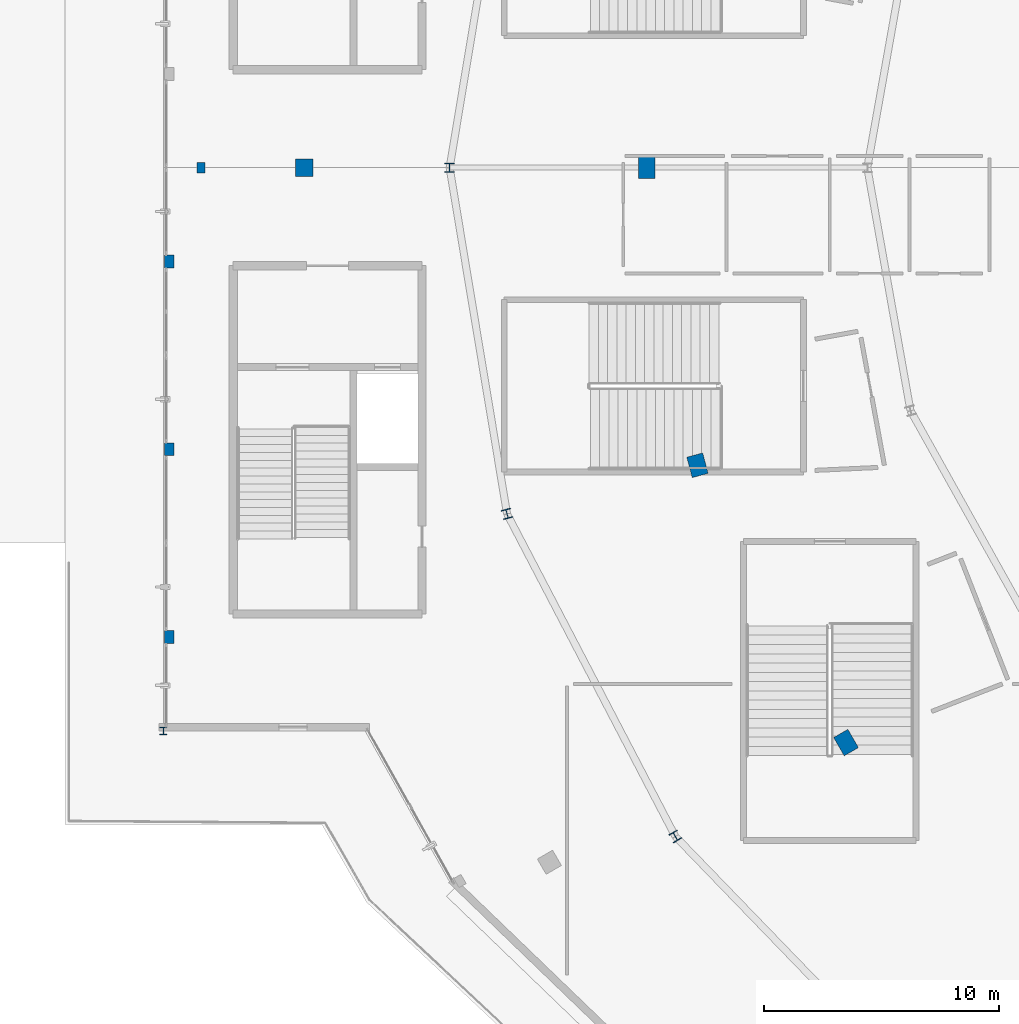
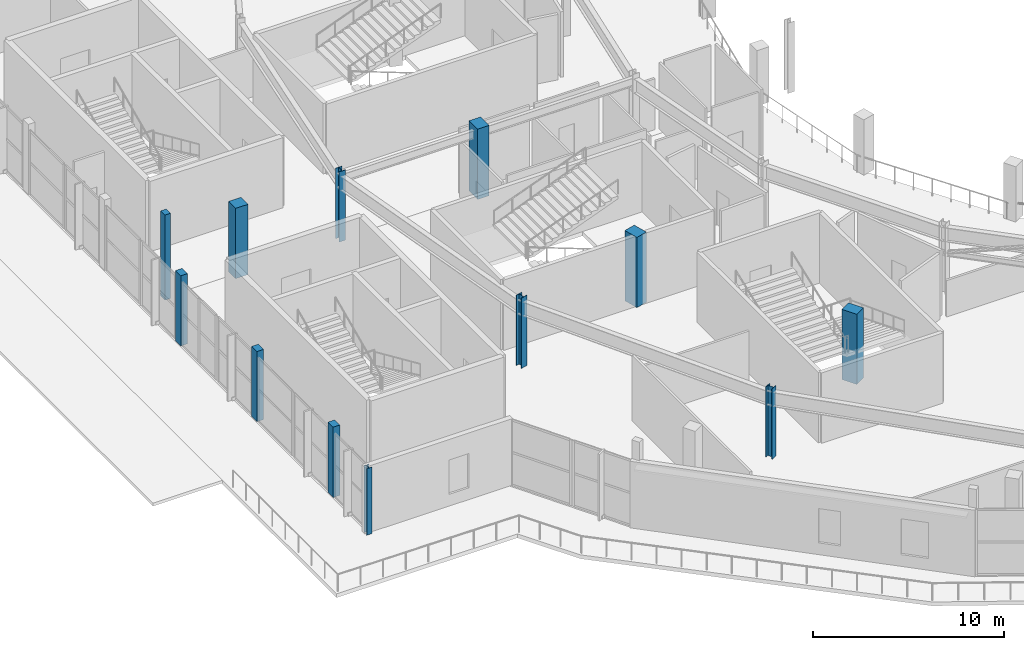
# One storey, part 2 of 123: 12 columns.
"""IFC4 building model written with IfcOpenShell, lengths in metres."""

import ifcopenshell
import ifcopenshell.guid

model = None  # the IFC model being written
_history = None  # IfcOwnerHistory: only IFC2X3 demands one
_inside = {}  # id of a spatial element -> (the spatial element, [elements in it])
_under = {}  # id of a project, library or spatial element -> (it, [spatial elements below it])
_declared = {}  # id of a project -> (the project, [libraries it declares])
_typed = {}  # id of a type object -> (the type object, [elements of that type])
_made_of = {}  # id of a material, layer set ... -> (it, [elements and type objects made of it])


def new_model(schema):
    """Start an empty IFC model of exactly this schema.

    Asked for "IFC4X3", IfcOpenShell would pick the latest addendum, in which some entities
    have other attributes; the version numbers below select the first issue.
    IFC2X3 requires an IfcOwnerHistory on every rooted entity: one is made here for all.
    """
    global model, _history
    if schema == "IFC4X3":
        model = ifcopenshell.file(schema_version=(4, 3, 0, 0))
    else:
        model = ifcopenshell.file(schema=schema)
    _inside.clear()
    _under.clear()
    _declared.clear()
    _typed.clear()
    _made_of.clear()
    _history = None
    if model.schema == "IFC2X3":
        org = make("IfcOrganization", Name="unknown")
        user = make(
            "IfcPersonAndOrganization",
            ThePerson=make("IfcPerson", FamilyName="unknown"),
            TheOrganization=org,
        )
        app = make(
            "IfcApplication",
            ApplicationDeveloper=org,
            Version="unknown",
            ApplicationFullName="unknown",
            ApplicationIdentifier="unknown",
        )
        _history = make(
            "IfcOwnerHistory",
            OwningUser=user,
            OwningApplication=app,
            ChangeAction="ADDED",
            CreationDate=0,
        )
    return model


def make(cls, **values):
    """One entity of the class cls with the attributes given. An attribute that is None is left unset."""
    return model.create_entity(
        cls, **{name: value for name, value in values.items() if value is not None}
    )


def rooted(cls, **values):
    """An entity with a GlobalId (a new one), such as an element, a storey or a relation."""
    return make(cls, GlobalId=ifcopenshell.guid.new(), OwnerHistory=_history, **values)


def si_unit(unit_type, name, prefix=None):
    """IfcSIUnit, for example si_unit("LENGTHUNIT", "METRE", prefix="MILLI")."""
    return make("IfcSIUnit", UnitType=unit_type, Prefix=prefix, Name=name)


def assignment(units):
    """IfcUnitAssignment: the units of a project."""
    return None if units is None else make("IfcUnitAssignment", Units=units)


def point(xyz):
    """IfcCartesianPoint."""
    return None if xyz is None else make("IfcCartesianPoint", Coordinates=xyz)


def direction(xyz):
    """IfcDirection."""
    return None if xyz is None else make("IfcDirection", DirectionRatios=xyz)


def frame(location, z_axis=None, x_axis=None):
    """IfcAxis2Placement3D, a coordinate frame: its origin and axes. An axis left out is left unset."""
    return make(
        "IfcAxis2Placement3D",
        Location=point(location),
        Axis=direction(z_axis),
        RefDirection=direction(x_axis),
    )


def frame_2d(location, x_axis=None):
    """IfcAxis2Placement2D, a coordinate frame in the plane: its origin and x axis."""
    return make(
        "IfcAxis2Placement2D", Location=point(location), RefDirection=direction(x_axis)
    )


def origin():
    """The frame at (0, 0, 0) with its axes left unset."""
    return frame((0.0, 0.0, 0.0))


def origin_2d():
    """The frame at (0, 0) in the plane with its x axis left unset."""
    return frame_2d((0.0, 0.0))


def place(relative_to, where):
    """IfcLocalPlacement: puts the frame where relative to a parent placement (None: the world)."""
    return make(
        "IfcLocalPlacement", PlacementRelTo=relative_to, RelativePlacement=where
    )


def context(
    kind, dimensions, precision=None, world=None, true_north=None, identifier=None
):
    """IfcGeometricRepresentationContext, for example the 3D "Model" context."""
    return make(
        "IfcGeometricRepresentationContext",
        ContextIdentifier=identifier,
        ContextType=kind,
        CoordinateSpaceDimension=dimensions,
        Precision=precision,
        WorldCoordinateSystem=world,
        TrueNorth=true_north,
    )


def subcontext(parent, identifier, kind, view, scale=None):
    """IfcGeometricRepresentationSubContext, for example "Body" below "Model"."""
    return make(
        "IfcGeometricRepresentationSubContext",
        ContextIdentifier=identifier,
        ContextType=kind,
        ParentContext=parent,
        TargetScale=scale,
        TargetView=view,
    )


def project(units=None, contexts=None):
    """IfcProject with its units and contexts."""
    return rooted(
        "IfcProject",
        Name="project",
        RepresentationContexts=contexts,
        UnitsInContext=assignment(units),
    )


def spatial(cls, under=None, at=None, **own):
    """A site, building, storey or space (cls), placed at a placement, below another one or the project."""
    s = rooted(cls, ObjectPlacement=at, **own)
    if under is not None:
        _under.setdefault(under.id(), (under, []))[1].append(s)
    return s


def profile(cls, at=None, kind="AREA", **sizes):
    """A parametric profile (cls). Its sizes go by their IFC names, for example OverallWidth=200.0."""
    return make(cls, ProfileType=kind, Position=at, **sizes)


def rectangle(**sizes):
    """IfcRectangleProfileDef."""
    return profile("IfcRectangleProfileDef", **sizes)


def i_section(**sizes):
    """IfcIShapeProfileDef."""
    return profile("IfcIShapeProfileDef", **sizes)


def extrude(swept, where, along, depth):
    """IfcExtrudedAreaSolid: the profile swept, set in the frame where, extruded along a direction by depth."""
    return make(
        "IfcExtrudedAreaSolid",
        SweptArea=swept,
        Position=where,
        ExtrudedDirection=direction(along),
        Depth=depth,
    )


def shape(context_of_items, identifier, shape_type, items):
    """IfcShapeRepresentation: the items that make up one representation, for example the "Body"."""
    return make(
        "IfcShapeRepresentation",
        ContextOfItems=context_of_items,
        RepresentationIdentifier=identifier,
        RepresentationType=shape_type,
        Items=items,
    )


def material(Name=None, Category=None):
    """IfcMaterial."""
    return make("IfcMaterial", Name=Name, Category=Category)


def material_profile(
    of_material, cross_section, Name=None, Category=None, Priority=None
):
    """IfcMaterialProfile: a cross section and its material."""
    return make(
        "IfcMaterialProfile",
        Name=Name,
        Material=of_material,
        Profile=cross_section,
        Priority=Priority,
        Category=Category,
    )


def profile_set(profiles, Name=None, composite=None):
    """IfcMaterialProfileSet."""
    return make(
        "IfcMaterialProfileSet",
        Name=Name,
        MaterialProfiles=profiles,
        CompositeProfile=composite,
    )


def made_of(thing, what):
    """Note that an element or type object is made of a material, layer set ...; save() writes the relation."""
    if what is not None:
        _made_of.setdefault(what.id(), (what, []))[1].append(thing)
    return thing


def type_object(cls, material=None, **own):
    """A type object (cls), such as IfcWallType, which elements share."""
    return made_of(rooted(cls, **own), material)


def element(
    cls,
    number,
    at=None,
    inside=None,
    cuts=None,
    type_object=None,
    material=None,
    context=None,
    identifier="Body",
    shape_type=None,
    held_by="IfcProductDefinitionShape",
    body=None,
    shapes=None,
    **own,
):
    """One element of the class cls, such as IfcWall. Its Tag is "e" and its number.

    at: its placement. inside: the storey or other place that contains it. cuts: it is an
    opening in that element (IfcRelVoidsElement). A single representation is given by context,
    identifier, shape_type and body (its items); several are given by shapes. held_by: the class
    of the entity that holds the representations. save() writes the other relations.
    """
    e = rooted(cls, Tag="e%d" % number, ObjectPlacement=at, **own)
    if body is not None:
        shapes = [shape(context, identifier, shape_type, body)]
    if shapes is not None:
        e.Representation = make(held_by, Representations=shapes)
    if inside is not None:
        _inside.setdefault(inside.id(), (inside, []))[1].append(e)
    if cuts is not None:
        rooted(
            "IfcRelVoidsElement", RelatingBuildingElement=cuts, RelatedOpeningElement=e
        )
    if type_object is not None:
        _typed.setdefault(type_object.id(), (type_object, []))[1].append(e)
    return made_of(e, material)


def aggregate(whole, parts):
    """IfcRelAggregates: a whole, such as a stair, and the parts it consists of."""
    return rooted("IfcRelAggregates", RelatingObject=whole, RelatedObjects=parts)


def save(model, path):
    """Write the relations noted so far, then the file.

    IfcRelAggregates (storeys below a building ...), IfcRelContainedInSpatialStructure (elements
    in a storey), IfcRelDefinesByType, IfcRelAssociatesMaterial and IfcRelDeclares: one each for
    every whole, place, type object, material and project.
    """
    for whole, parts in _under.values():
        aggregate(whole, parts)
    for where, things in _inside.values():
        rooted(
            "IfcRelContainedInSpatialStructure",
            RelatedElements=things,
            RelatingStructure=where,
        )
    for kind, things in _typed.values():
        rooted("IfcRelDefinesByType", RelatedObjects=things, RelatingType=kind)
    for what, things in _made_of.values():
        rooted("IfcRelAssociatesMaterial", RelatedObjects=things, RelatingMaterial=what)
    for by, libraries in _declared.values():
        rooted("IfcRelDeclares", RelatingContext=by, RelatedDefinitions=libraries)
    model.write(path)


model = new_model("IFC4")

# Units and contexts
model_context = context("Model", 3, precision=1e-05, world=origin(), true_north=direction((0.0, 1.0)))
body_context = subcontext(model_context, "Body", "Model", "MODEL_VIEW")
ifc_project = project(units=[si_unit("LENGTHUNIT", "METRE"), si_unit("AREAUNIT", "SQUARE_METRE"), si_unit("VOLUMEUNIT", "CUBIC_METRE"), si_unit("PLANEANGLEUNIT", "RADIAN"), si_unit("MASSUNIT", "GRAM", prefix="KILO")], contexts=[model_context])

# Site, building, storey
site_placement = place(None, origin())
site = spatial("IfcSite", under=ifc_project, at=site_placement, CompositionType="ELEMENT")
building_placement = place(site_placement, origin())
building = spatial("IfcBuilding", under=site, at=building_placement, Name="Kalgoora Escarpment Arena", CompositionType="ELEMENT")
storey_placement = place(building_placement, frame((0.0, 0.0, 9.89990234375)))
storey = spatial("IfcBuildingStorey", under=building, at=storey_placement, Name="L02", CompositionType="ELEMENT", Elevation=9.89990234375)

# Columns
ifc_material_1 = material(Name="Structural steel AS/NZS 3679 (300 MPa)", Category="steel")
ifc_material_profile_1 = material_profile(ifc_material_1, i_section(OverallWidth=0.30908203125, OverallDepth=0.321044921875, WebThickness=0.013916015625, FlangeThickness=0.021728515625, at=origin_2d()))
ifc_profile_set_1 = profile_set([ifc_material_profile_1], Name="Structural steel AS/NZS 3679 (300 MPa)")
column_type_1 = type_object("IfcColumnType", Name="COL-COL-310UC137", PredefinedType="COLUMN", material=ifc_profile_set_1)
column_1_placement = place(storey_placement, frame((8.39990234375, 40.0, 0.0), z_axis=(0.0, 0.0, 1.0), x_axis=(1.0, 0.0, 0.0)))
element("IfcColumn", 1, at=column_1_placement, inside=storey, type_object=column_type_1, Name="L02 structural column COL-G2-F", PredefinedType="COLUMN", context=body_context, shape_type="SweptSolid", body=[
    extrude(i_section(OverallWidth=0.30908203125, OverallDepth=0.321044921875, WebThickness=0.013916015625, FlangeThickness=0.021728515625, at=origin_2d()), origin(), (0.0, 0.0, 1.0), 4.26513671875),
])
ifc_material_2 = material(Name="Structural steel Grade 350 (350 MPa)", Category="steel")
ifc_material_profile_2 = material_profile(ifc_material_2, i_section(OverallWidth=0.39990234375, OverallDepth=0.39990234375, WebThickness=0.01611328125, FlangeThickness=0.028076171875, at=origin_2d()))
ifc_profile_set_2 = profile_set([ifc_material_profile_2], Name="Structural steel Grade 350 (350 MPa)")
column_type_2 = type_object("IfcColumnType", Name="COL-COL-400WC212", PredefinedType="COLUMN", material=ifc_profile_set_2)
for number, where, z_axis, x_axis, name in (
    (2, (20.60009765625, 64.0, 0.0), (0.0, 0.0, 1.0), (-1.0, 0.0, 0.0), "L02 structural column COL-RCONC2-R13"),
    (3, (23.04638671875, 49.247314453125, 0.0), (0.0, 0.0, 1.0), (-0.965925826289, -0.258819045103, 0.0), "L02 structural column COL-RCONC2-R14"),
    (4, (30.219482421875, 35.5, 0.0), (0.0, 0.0, 1.0), (-0.866025403784, -0.5, 0.0), "L02 structural column COL-RCONC2-R15"),
):
    element("IfcColumn", number, at=place(storey_placement, frame(where, z_axis=z_axis, x_axis=x_axis)), inside=storey, type_object=column_type_2, Name=name, PredefinedType="COLUMN", context=body_context, shape_type="SweptSolid", body=[
        extrude(i_section(OverallWidth=0.39990234375, OverallDepth=0.39990234375, WebThickness=0.01611328125, FlangeThickness=0.028076171875, at=origin_2d()), origin(), (0.0, 0.0, 1.0), 4.5),
    ])
ifc_material_3 = material(Name="Concrete N50 (fc' 50 MPa)", Category="concrete")
ifc_material_profile_3 = material_profile(ifc_material_3, rectangle(XDim=0.75, YDim=0.75, at=origin_2d()))
ifc_profile_set_3 = profile_set([ifc_material_profile_3], Name="Concrete N50 (fc' 50 MPa)")
column_type_3 = type_object("IfcColumnType", Name="COL-COL-RC750x750", PredefinedType="COLUMN", material=ifc_profile_set_3)
column_2_placement = place(storey_placement, frame((14.39990234375, 64.0, 0.0), z_axis=(0.0, 0.0, 1.0), x_axis=(-1.0, 0.0, 0.0)))
element("IfcColumn", 5, at=column_2_placement, inside=storey, type_object=column_type_3, Name="L02 structural column COL-RBASE1-R13", PredefinedType="COLUMN", context=body_context, shape_type="SweptSolid", body=[
    extrude(rectangle(XDim=0.75, YDim=0.75, at=origin_2d()), origin(), (0.0, 0.0, 1.0), 4.5),
])
ifc_material_4 = material(Name="Concrete N50 (fc' 50 MPa)", Category="concrete")
ifc_material_profile_4 = material_profile(ifc_material_4, rectangle(XDim=0.699951171875, YDim=0.89990234375, at=origin_2d()))
ifc_profile_set_4 = profile_set([ifc_material_profile_4], Name="Concrete N50 (fc' 50 MPa)")
column_type_4 = type_object("IfcColumnType", Name="COL-COL-RC900x700", PredefinedType="COLUMN", material=ifc_profile_set_4)
for number, where, z_axis, x_axis, name in (
    (6, (29.0, 64.0, 0.0), (0.0, 0.0, 1.0), (-1.0, 0.0, 0.0), "L02 structural column COL-RCONC1-R13"),
    (7, (31.160400390625, 51.31787109375, 0.0), (0.0, 0.0, 1.0), (-0.965925826289, -0.258819045103, 0.0), "L02 structural column COL-RCONC1-R14"),
    (8, (37.493896484375, 39.5, 0.0), (0.0, 0.0, 1.0), (-0.866025403784, -0.5, 0.0), "L02 structural column COL-RCONC1-R15"),
):
    element("IfcColumn", number, at=place(storey_placement, frame(where, z_axis=z_axis, x_axis=x_axis)), inside=storey, type_object=column_type_4, Name=name, PredefinedType="COLUMN", context=body_context, shape_type="SweptSolid", body=[
        extrude(rectangle(XDim=0.699951171875, YDim=0.89990234375, at=origin_2d()), origin(), (0.0, 0.0, 1.0), 4.5),
    ])
ifc_material_5 = material(Name="Precast concrete N50 (fc' 50 MPa)", Category="concrete")
ifc_material_profile_5 = material_profile(ifc_material_5, rectangle(XDim=0.35009765625, YDim=0.449951171875, at=origin_2d()))
ifc_profile_set_5 = profile_set([ifc_material_profile_5], Name="Precast concrete N50 (fc' 50 MPa)")
column_type_5 = type_object("IfcColumnType", Name="COL-PIL-PC-PILASTER-450x350", PredefinedType="PILASTER", material=ifc_profile_set_5)
column_3_placement = place(storey_placement, frame((10.0, 64.0, 0.0), z_axis=(0.0, 0.0, 1.0), x_axis=(-1.0, 0.0, 0.0)))
element("IfcColumn", 9, at=column_3_placement, inside=storey, type_object=column_type_5, Name="L02 fluted pilaster PIL-058", PredefinedType="PILASTER", context=body_context, shape_type="SweptSolid", body=[
    extrude(rectangle(XDim=0.35009765625, YDim=0.449951171875, at=origin_2d()), origin(), (0.0, 0.0, 1.0), 5.4501953125),
])
ifc_material_6 = material(Name="Precast concrete N50 (fc' 50 MPa)", Category="concrete")
ifc_material_profile_6 = material_profile(ifc_material_6, rectangle(XDim=0.39990234375, YDim=0.550048828125, at=origin_2d()))
ifc_profile_set_6 = profile_set([ifc_material_profile_6], Name="Precast concrete N50 (fc' 50 MPa)")
column_type_6 = type_object("IfcColumnType", Name="COL-PIL-PC-PILASTER-550x400", PredefinedType="PILASTER", material=ifc_profile_set_6)
for number, where, z_axis, x_axis, name in (
    (10, (8.64990234375, 44.0, 0.0), (0.0, 0.0, 1.0), (1.0, 0.0, 0.0), "L02 fluted pilaster PIL-016"),
    (11, (8.64990234375, 52.0, 0.0), (0.0, 0.0, 1.0), (1.0, 0.0, 0.0), "L02 fluted pilaster PIL-017"),
    (12, (8.64990234375, 60.0, 0.0), (0.0, 0.0, 1.0), (1.0, 0.0, 0.0), "L02 fluted pilaster PIL-018"),
):
    element("IfcColumn", number, at=place(storey_placement, frame(where, z_axis=z_axis, x_axis=x_axis)), inside=storey, type_object=column_type_6, Name=name, PredefinedType="PILASTER", context=body_context, shape_type="SweptSolid", body=[
        extrude(rectangle(XDim=0.39990234375, YDim=0.550048828125, at=origin_2d()), origin(), (0.0, 0.0, 1.0), 4.5),
    ])

save(model, "model.ifc")
